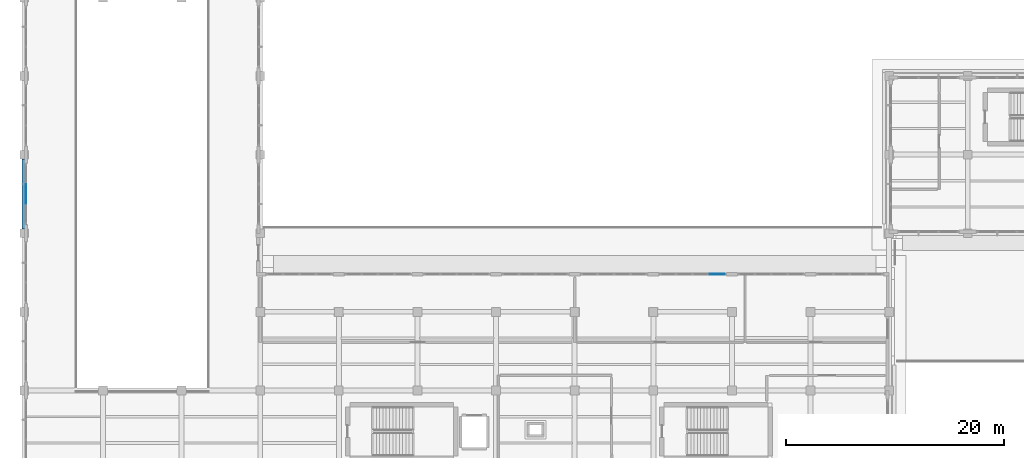
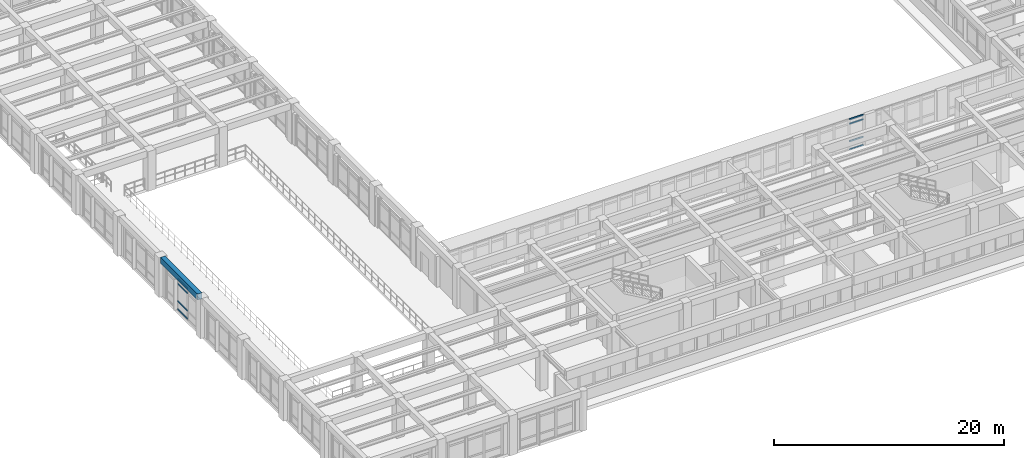
# One storey, part 9 of 67: 8 members, 1 beam, 2 elements without a shape of their own.
"""IFC4 building model written with IfcOpenShell, lengths in metres."""

from ifc_helpers import new_model, si_unit, direction, frame, origin, origin_2d, place, context, subcontext, project, spatial, rectangle, extrude, material, layer, layer_set, material_profile, profile_set, type_object, element, aggregate, save


model = new_model("IFC4")

# Units and contexts
model_context = context("Model", 3, precision=1e-05, world=origin(), true_north=direction((0.0, 1.0)))
body_context = subcontext(model_context, "Body", "Model", "MODEL_VIEW")
ifc_project = project(units=[si_unit("LENGTHUNIT", "METRE"), si_unit("AREAUNIT", "SQUARE_METRE"), si_unit("VOLUMEUNIT", "CUBIC_METRE"), si_unit("PLANEANGLEUNIT", "RADIAN"), si_unit("MASSUNIT", "GRAM", prefix="KILO")], contexts=[model_context])

# Site, building, storey
site_placement = place(None, origin())
site = spatial("IfcSite", under=ifc_project, at=site_placement, CompositionType="ELEMENT")
building_placement = place(site_placement, origin())
building = spatial("IfcBuilding", under=site, at=building_placement, Name="Solenvale Faculty of Natural Sciences", CompositionType="ELEMENT")
storey_placement = place(building_placement, frame((0.0, 0.0, 13.5)))
storey = spatial("IfcBuildingStorey", under=building, at=storey_placement, Name="L03", CompositionType="ELEMENT", Elevation=13.5)

# Beam
ifc_material_1 = material(Name="Concrete 40 MPa", Category="concrete")
ifc_material_profile_1 = material_profile(ifc_material_1, rectangle(XDim=0.449951171875, YDim=0.64990234375, at=origin_2d()), Name="RC-BM-450x650")
ifc_profile_set_1 = profile_set([ifc_material_profile_1], Name="Concrete 40 MPa")
beam_type = type_object("IfcBeamType", Name="BM-RC-450x650", PredefinedType="BEAM", material=ifc_profile_set_1)
beam_placement = place(storey_placement, frame((36.0, 43.580078125, 3.89501953125), z_axis=(0.0, 1.0, 0.0), x_axis=(-1.0, 0.0, 0.0)))
element("IfcBeam", 1, at=beam_placement, inside=storey, type_object=beam_type, Name="L03 Y-Girder X36.0 (43.2..50.4)", PredefinedType="BEAM", context=body_context, shape_type="SweptSolid", body=[
    extrude(rectangle(XDim=0.449951171875, YDim=0.64990234375, at=origin_2d()), origin(), (0.0, 0.0, 1.0), 6.43994140625),
])

# Curtain wall, members
ifc_material_2 = material(Name="Anodised bronze aluminium", Category="aluminium")
ifc_layer_1 = layer(ifc_material_2, 0.215087890625)
ifc_layer_set_1 = layer_set([ifc_layer_1], Name="Anodised bronze aluminium")
curtain_wall_type_1 = type_object("IfcCurtainWallType", Name="CW-ATR-UNIT", PredefinedType="USERDEFINED", material=ifc_layer_set_1)
curtain_wall_1_placement = place(storey_placement, origin())
curtain_wall_1 = element("IfcCurtainWall", 2, at=curtain_wall_1_placement, inside=storey, type_object=curtain_wall_type_1, Name="L03 Curtain Wall CW-L03-P1-E3-B7", ObjectType="UNITISED CURTAIN WALL", PredefinedType="USERDEFINED")
ifc_material_profile_2 = material_profile(ifc_material_2, rectangle(XDim=0.074951171875, YDim=0.155029296875, at=origin_2d()), Name="ALU-TRN-75x155")
ifc_profile_set_2 = profile_set([ifc_material_profile_2], Name="Anodised bronze aluminium")
member_type = type_object("IfcMemberType", Name="CWT-ALU-75x155", PredefinedType="USERDEFINED", material=ifc_profile_set_2)
member_1_placement = place(storey_placement, frame((36.142578125, 47.67919921875, 0.03759765625), z_axis=(0.0, -1.0, 0.0), x_axis=(1.0, 0.0, 0.0)))
member_1 = element("IfcMember", 3, at=member_1_placement, type_object=member_type, Name="CW-01 transom 2.1", ObjectType="TRANSOM", PredefinedType="USERDEFINED", context=body_context, shape_type="SweptSolid", body=[
    extrude(rectangle(XDim=0.074951171875, YDim=0.155029296875, at=origin_2d()), origin(), (0.0, 0.0, 1.0), 1.75830078125),
])
member_2_placement = place(storey_placement, frame((36.142578125, 47.67919921875, 0.89990234375), z_axis=(0.0, -1.0, 0.0), x_axis=(1.0, 0.0, 0.0)))
member_2 = element("IfcMember", 4, at=member_2_placement, type_object=member_type, Name="CW-01 transom 2.2", ObjectType="TRANSOM", PredefinedType="USERDEFINED", context=body_context, shape_type="SweptSolid", body=[
    extrude(rectangle(XDim=0.074951171875, YDim=0.155029296875, at=origin_2d()), origin(), (0.0, 0.0, 1.0), 1.75830078125),
])
member_3_placement = place(storey_placement, frame((36.142578125, 47.67919921875, 2.760009765625), z_axis=(0.0, -1.0, 0.0), x_axis=(1.0, 0.0, 0.0)))
member_3 = element("IfcMember", 5, at=member_3_placement, type_object=member_type, Name="CW-01 transom 2.3", ObjectType="TRANSOM", PredefinedType="USERDEFINED", context=body_context, shape_type="SweptSolid", body=[
    extrude(rectangle(XDim=0.074951171875, YDim=0.155029296875, at=origin_2d()), origin(), (0.0, 0.0, 1.0), 1.75830078125),
])
member_4_placement = place(storey_placement, frame((36.142578125, 47.67919921875, 3.222412109375), z_axis=(0.0, -1.0, 0.0), x_axis=(1.0, 0.0, 0.0)))
member_4 = element("IfcMember", 6, at=member_4_placement, type_object=member_type, Name="CW-01 transom 2.4", ObjectType="TRANSOM", PredefinedType="USERDEFINED", context=body_context, shape_type="SweptSolid", body=[
    extrude(rectangle(XDim=0.074951171875, YDim=0.155029296875, at=origin_2d()), origin(), (0.0, 0.0, 1.0), 1.75830078125),
])
aggregate(curtain_wall_1, [member_1, member_2, member_3, member_4])

ifc_layer_2 = layer(ifc_material_2, 0.18994140625)
ifc_layer_set_2 = layer_set([ifc_layer_2], Name="Anodised bronze aluminium")
curtain_wall_type_2 = type_object("IfcCurtainWallType", Name="CW-TRAY-REC", PredefinedType="USERDEFINED", material=ifc_layer_set_2)
curtain_wall_2_placement = place(storey_placement, origin())
curtain_wall_2 = element("IfcCurtainWall", 7, at=curtain_wall_2_placement, inside=storey, type_object=curtain_wall_type_2, Name="L03 Curtain Wall CW-L03-P1-E8-B3", ObjectType="UNITISED CURTAIN WALL", PredefinedType="USERDEFINED")
member_5_placement = place(storey_placement, frame((100.14501953125, 39.4375, 0.03759765625), z_axis=(-1.0, 0.0, 0.0), x_axis=(0.0, -1.0, 0.0)))
member_5 = element("IfcMember", 8, at=member_5_placement, type_object=member_type, Name="CW-02 transom 1.1", ObjectType="TRANSOM", PredefinedType="USERDEFINED", context=body_context, shape_type="SweptSolid", body=[
    extrude(rectangle(XDim=0.074951171875, YDim=0.155029296875, at=origin_2d()), origin(), (0.0, 0.0, 1.0), 1.3974609375),
])
member_6_placement = place(storey_placement, frame((100.14501953125, 39.4375, 0.89990234375), z_axis=(-1.0, 0.0, 0.0), x_axis=(0.0, -1.0, 0.0)))
member_6 = element("IfcMember", 9, at=member_6_placement, type_object=member_type, Name="CW-02 transom 1.2", ObjectType="TRANSOM", PredefinedType="USERDEFINED", context=body_context, shape_type="SweptSolid", body=[
    extrude(rectangle(XDim=0.074951171875, YDim=0.155029296875, at=origin_2d()), origin(), (0.0, 0.0, 1.0), 1.3974609375),
])
member_7_placement = place(storey_placement, frame((100.14501953125, 39.4375, 2.760009765625), z_axis=(-1.0, 0.0, 0.0), x_axis=(0.0, -1.0, 0.0)))
member_7 = element("IfcMember", 10, at=member_7_placement, type_object=member_type, Name="CW-02 transom 1.3", ObjectType="TRANSOM", PredefinedType="USERDEFINED", context=body_context, shape_type="SweptSolid", body=[
    extrude(rectangle(XDim=0.074951171875, YDim=0.155029296875, at=origin_2d()), origin(), (0.0, 0.0, 1.0), 1.3974609375),
])
member_8_placement = place(storey_placement, frame((100.14501953125, 39.4375, 3.222412109375), z_axis=(-1.0, 0.0, 0.0), x_axis=(0.0, -1.0, 0.0)))
member_8 = element("IfcMember", 11, at=member_8_placement, type_object=member_type, Name="CW-02 transom 1.4", ObjectType="TRANSOM", PredefinedType="USERDEFINED", context=body_context, shape_type="SweptSolid", body=[
    extrude(rectangle(XDim=0.074951171875, YDim=0.155029296875, at=origin_2d()), origin(), (0.0, 0.0, 1.0), 1.3974609375),
])
aggregate(curtain_wall_2, [member_5, member_6, member_7, member_8])

save(model, "model.ifc")
